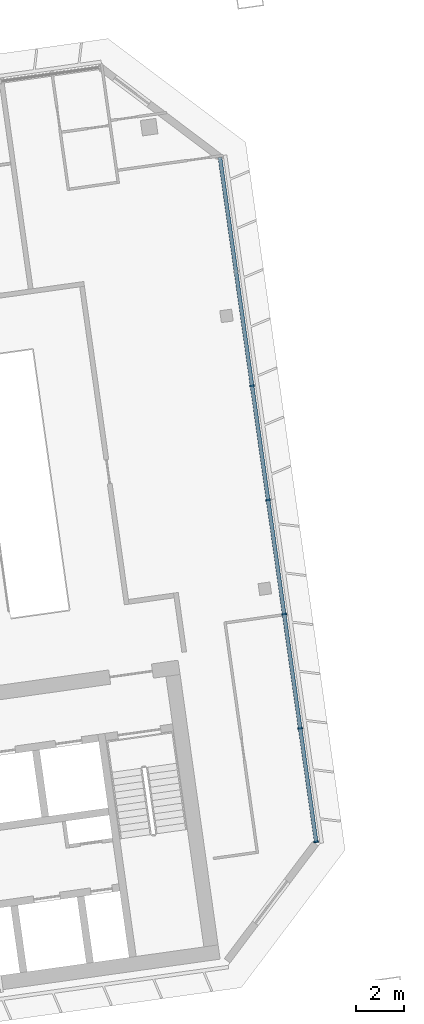
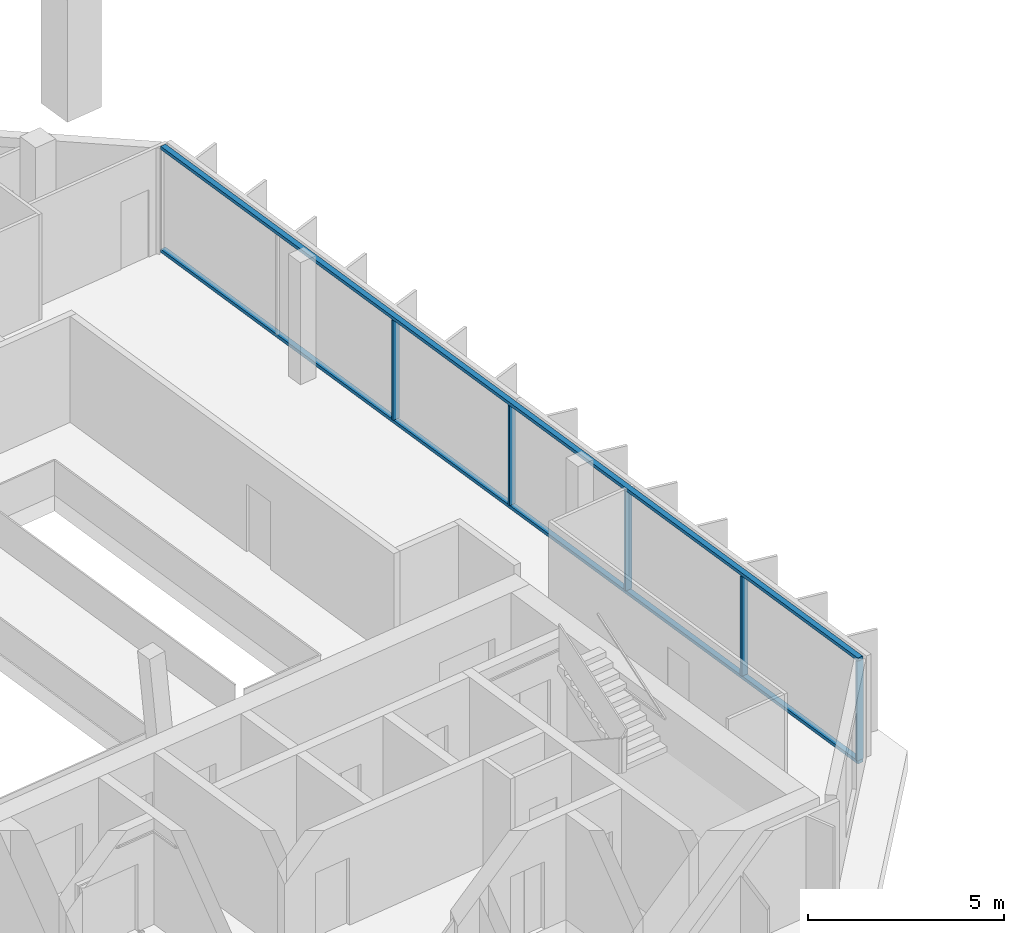
# One storey, part 8 of 25: 7 members, 1 element without a shape of its own.
"""IFC4 building model written with IfcOpenShell, lengths in metres."""

from ifc_helpers import new_model, si_unit, direction, frame, origin, origin_2d, place, context, subcontext, project, spatial, rectangle, extrude, material, material_profile, profile_set, type_object, element, aggregate, save


model = new_model("IFC4")

# Units and contexts
model_context = context("Model", 3, precision=1e-05, world=origin(), true_north=direction((0.0, 1.0)))
body_context = subcontext(model_context, "Body", "Model", "MODEL_VIEW")
ifc_project = project(units=[si_unit("LENGTHUNIT", "METRE"), si_unit("AREAUNIT", "SQUARE_METRE"), si_unit("VOLUMEUNIT", "CUBIC_METRE"), si_unit("PLANEANGLEUNIT", "RADIAN"), si_unit("MASSUNIT", "GRAM", prefix="KILO")], contexts=[model_context])

# Site, building, storey
site_placement = place(None, origin())
site = spatial("IfcSite", under=ifc_project, at=site_placement, CompositionType="ELEMENT")
building_placement = place(site_placement, origin())
building = spatial("IfcBuilding", under=site, at=building_placement, Name="Mirante Cascada Hotel Towers", CompositionType="ELEMENT")
storey_placement = place(building_placement, frame((0.0, 0.0, 266.0)))
storey = spatial("IfcBuildingStorey", under=building, at=storey_placement, Name="L64", CompositionType="ELEMENT", Elevation=266.0)

# Curtain wall, members
ifc_material_1 = material(Name="Aluminium mullion and transom frame with clear laminated glass", Category="aluminium")
curtain_wall_type = type_object("IfcCurtainWallType", Name="End ribbon curtain wall ECW2", PredefinedType="NOTDEFINED", material=ifc_material_1)
curtain_wall_placement = place(storey_placement, origin())
curtain_wall = element("IfcCurtainWall", 1, at=curtain_wall_placement, inside=storey, type_object=curtain_wall_type, Name="Outer end wall T2 L64", PredefinedType="NOTDEFINED")
ifc_material_2 = material(Name="Anodised aluminium extrusion", Category="aluminium")
ifc_material_profile_1 = material_profile(ifc_material_2, rectangle(XDim=0.2, YDim=0.065, at=origin_2d()), Name="ECW2 MULLION 65x200")
ifc_profile_set_1 = profile_set([ifc_material_profile_1], Name="Anodised aluminium extrusion")
member_type_1 = type_object("IfcMemberType", Name="ECW2 mullion 65x200", PredefinedType="MULLION", material=ifc_profile_set_1)
member_1_placement = place(storey_placement, frame((58.5935, -12.5284, 0.1), z_axis=(0.0, 0.0, 1.0), x_axis=(-0.9902681, -0.1391731, 0.0)))
member_1 = element("IfcMember", 2, at=member_1_placement, type_object=member_type_1, Name="ECW2 mullion 1", PredefinedType="MULLION", context=body_context, shape_type="SweptSolid", body=[
    extrude(rectangle(XDim=0.2, YDim=0.065, at=origin_2d()), origin(), (0.0, 0.0, 1.0), 3.1),
])
member_2_placement = place(storey_placement, frame((57.9283, -7.7948, 0.1), z_axis=(0.0, 0.0, 1.0), x_axis=(-0.9902681, -0.1391731, 0.0)))
member_2 = element("IfcMember", 3, at=member_2_placement, type_object=member_type_1, Name="ECW2 mullion 2", PredefinedType="MULLION", context=body_context, shape_type="SweptSolid", body=[
    extrude(rectangle(XDim=0.2, YDim=0.065, at=origin_2d()), origin(), (0.0, 0.0, 1.0), 3.1),
])
member_3_placement = place(storey_placement, frame((57.2585, -3.029, 0.1), z_axis=(0.0, 0.0, 1.0), x_axis=(-0.9902681, -0.1391731, 0.0)))
member_3 = element("IfcMember", 4, at=member_3_placement, type_object=member_type_1, Name="ECW2 mullion 3", PredefinedType="MULLION", context=body_context, shape_type="SweptSolid", body=[
    extrude(rectangle(XDim=0.2, YDim=0.065, at=origin_2d()), origin(), (0.0, 0.0, 1.0), 3.1),
])
member_4_placement = place(storey_placement, frame((56.5887, 1.7368, 0.1), z_axis=(0.0, 0.0, 1.0), x_axis=(-0.9902681, -0.1391731, 0.0)))
member_4 = element("IfcMember", 5, at=member_4_placement, type_object=member_type_1, Name="ECW2 mullion 4", PredefinedType="MULLION", context=body_context, shape_type="SweptSolid", body=[
    extrude(rectangle(XDim=0.2, YDim=0.065, at=origin_2d()), origin(), (0.0, 0.0, 1.0), 3.1),
])
member_5_placement = place(storey_placement, frame((55.9189, 6.5026, 0.1), z_axis=(0.0, 0.0, 1.0), x_axis=(-0.9902681, -0.1391731, 0.0)))
member_5 = element("IfcMember", 6, at=member_5_placement, type_object=member_type_1, Name="ECW2 mullion 5", PredefinedType="MULLION", context=body_context, shape_type="SweptSolid", body=[
    extrude(rectangle(XDim=0.2, YDim=0.065, at=origin_2d()), origin(), (0.0, 0.0, 1.0), 3.1),
])
ifc_material_3 = material(Name="Anodised aluminium extrusion", Category="aluminium")
ifc_material_profile_2 = material_profile(ifc_material_3, rectangle(XDim=0.16, YDim=0.1, at=origin_2d()), Name="ECW2 TRANSOM 100x160")
ifc_profile_set_2 = profile_set([ifc_material_profile_2], Name="Anodised aluminium extrusion")
member_type_2 = type_object("IfcMemberType", Name="ECW2 transom 100x160", PredefinedType="USERDEFINED", material=ifc_profile_set_2)
member_6_placement = place(storey_placement, frame((58.5981, -12.5606, 0.05), z_axis=(-0.1391752, 0.9902678, 0.0), x_axis=(-0.9902678, -0.1391752, 0.0)))
member_6 = element("IfcMember", 7, at=member_6_placement, type_object=member_type_2, Name="ECW2 sill transom", ObjectType="TRANSOM", PredefinedType="USERDEFINED", context=body_context, shape_type="SweptSolid", body=[
    extrude(rectangle(XDim=0.16, YDim=0.1, at=origin_2d()), origin(), (0.0, 0.0, 1.0), 28.8758),
])
member_7_placement = place(storey_placement, frame((58.5981, -12.5606, 3.25), z_axis=(-0.1391752, 0.9902678, 0.0), x_axis=(-0.9902678, -0.1391752, 0.0)))
member_7 = element("IfcMember", 8, at=member_7_placement, type_object=member_type_2, Name="ECW2 head transom", ObjectType="TRANSOM", PredefinedType="USERDEFINED", context=body_context, shape_type="SweptSolid", body=[
    extrude(rectangle(XDim=0.16, YDim=0.1, at=origin_2d()), origin(), (0.0, 0.0, 1.0), 28.8758),
])
aggregate(curtain_wall, [member_6, member_7, member_1, member_2, member_3, member_4, member_5])

save(model, "model.ifc")
